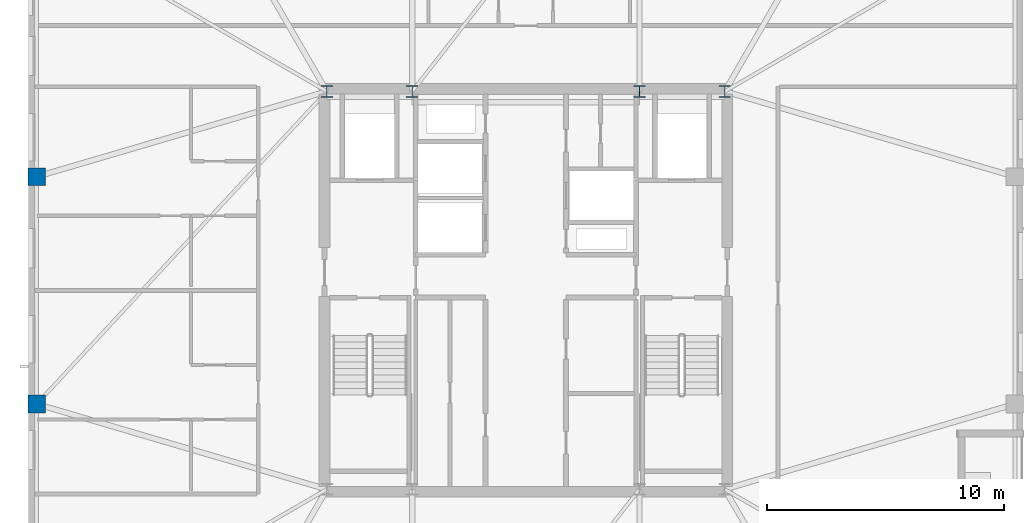
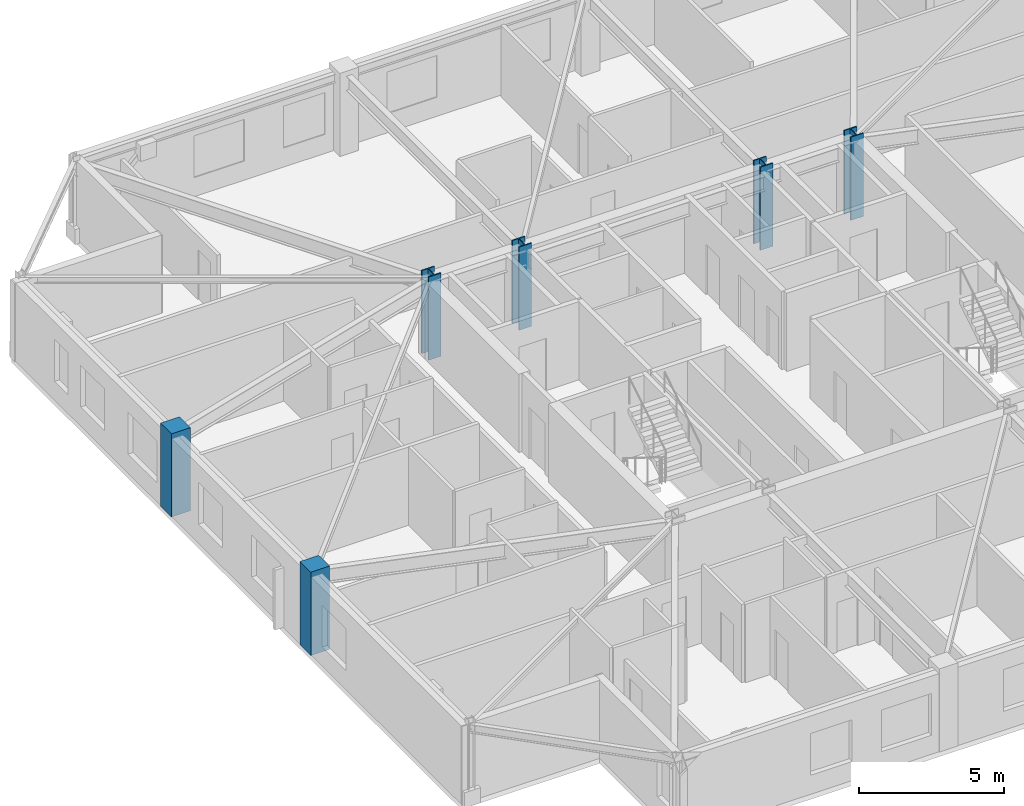
# One storey, part 2 of 14: 6 columns.
"""IFC4 building model written with IfcOpenShell, lengths in metres."""

from ifc_helpers import new_model, si_unit, direction, frame, origin, origin_2d, place, context, subcontext, project, spatial, rectangle, i_section, extrude, material, material_profile, profile_set, type_object, element, save


model = new_model("IFC4")

# Units and contexts
model_context = context("Model", 3, precision=1e-05, world=origin(), true_north=direction((0.0, 1.0)))
body_context = subcontext(model_context, "Body", "Model", "MODEL_VIEW")
ifc_project = project(units=[si_unit("LENGTHUNIT", "METRE"), si_unit("AREAUNIT", "SQUARE_METRE"), si_unit("VOLUMEUNIT", "CUBIC_METRE"), si_unit("PLANEANGLEUNIT", "RADIAN"), si_unit("MASSUNIT", "GRAM", prefix="KILO")], contexts=[model_context])

# Site, building, storey
site_placement = place(None, origin())
site = spatial("IfcSite", under=ifc_project, at=site_placement, CompositionType="ELEMENT")
building_placement = place(site_placement, origin())
building = spatial("IfcBuilding", under=site, at=building_placement, Name="Cairnveth Concourse Tower", CompositionType="ELEMENT")
storey_placement = place(building_placement, frame((0.0, 0.0, 294.5)))
storey = spatial("IfcBuildingStorey", under=building, at=storey_placement, Name="L81", CompositionType="ELEMENT", Elevation=294.5)

# Columns
ifc_material_1 = material(Name="Concrete N50 (50 MPa)", Category="concrete")
ifc_material_profile_1 = material_profile(ifc_material_1, rectangle(XDim=0.75, YDim=0.75, at=origin_2d()), Name="RC-COL-750x750")
ifc_profile_set_1 = profile_set([ifc_material_profile_1], Name="Concrete N50 (50 MPa)")
column_type_1 = type_object("IfcColumnType", Name="PERIMETER PIER COLUMN 750X750", PredefinedType="COLUMN", material=ifc_profile_set_1)
for number, where, z_axis, x_axis, name in (
    (1, (31.35009765625, 43.800048828125, 0.0), (0.0, 0.0, 1.0), (0.0, 1.0, 0.0), "Column P-W2 L81"),
    (2, (31.35009765625, 34.199951171875, 0.0), (0.0, 0.0, 1.0), (0.0, 1.0, 0.0), "Column P-W3 L81"),
):
    element("IfcColumn", number, at=place(storey_placement, frame(where, z_axis=z_axis, x_axis=x_axis)), inside=storey, type_object=column_type_1, Name=name, PredefinedType="COLUMN", context=body_context, shape_type="SweptSolid", body=[
        extrude(rectangle(XDim=0.75, YDim=0.75, at=origin_2d()), origin(), (0.0, 0.0, 1.0), 3.5),
    ])
ifc_material_2 = material(Name="Steel Grade 350", Category="steel")
ifc_material_profile_2 = material_profile(ifc_material_2, i_section(OverallWidth=0.5, OverallDepth=0.5, WebThickness=0.028076171875, FlangeThickness=0.044921875, at=origin_2d()), Name="500WC383")
ifc_profile_set_2 = profile_set([ifc_material_profile_2], Name="Steel Grade 350")
column_type_2 = type_object("IfcColumnType", Name="WELDED STEEL COLUMN 500WC383", PredefinedType="COLUMN", material=ifc_profile_set_2)
for number, where, z_axis, x_axis, name in (
    (3, (43.60009765625, 47.39990234375, 0.0), (0.0, 0.0, 1.0), (1.0, 0.0, 0.0), "Column CC5 L81"),
    (4, (47.199951171875, 47.39990234375, 0.0), (0.0, 0.0, 1.0), (1.0, 0.0, 0.0), "Column CC6 L81"),
    (5, (56.800048828125, 47.39990234375, 0.0), (0.0, 0.0, 1.0), (1.0, 0.0, 0.0), "Column CC7 L81"),
    (6, (60.39990234375, 47.39990234375, 0.0), (0.0, 0.0, 1.0), (1.0, 0.0, 0.0), "Column CC8 L81"),
):
    element("IfcColumn", number, at=place(storey_placement, frame(where, z_axis=z_axis, x_axis=x_axis)), inside=storey, type_object=column_type_2, Name=name, PredefinedType="COLUMN", context=body_context, shape_type="SweptSolid", body=[
        extrude(i_section(OverallWidth=0.5, OverallDepth=0.5, WebThickness=0.028076171875, FlangeThickness=0.044921875, at=origin_2d()), origin(), (0.0, 0.0, 1.0), 3.5),
    ])

save(model, "model.ifc")
